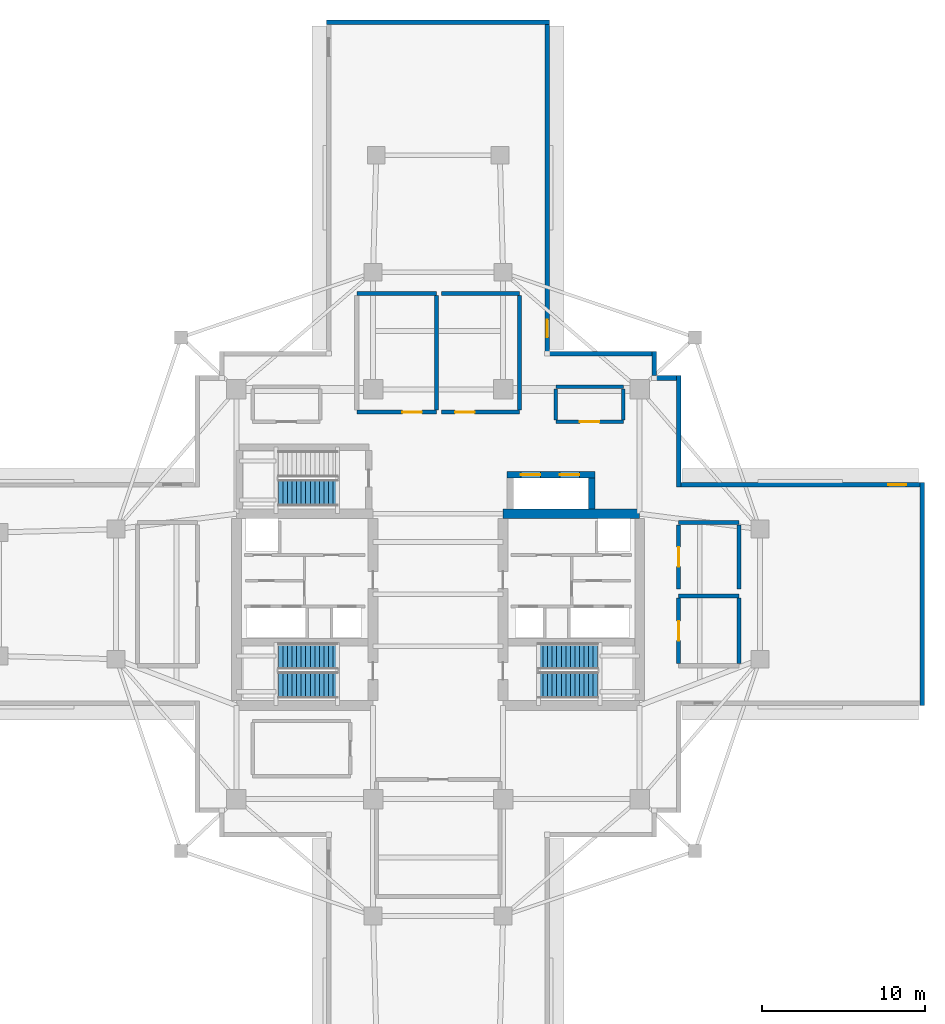
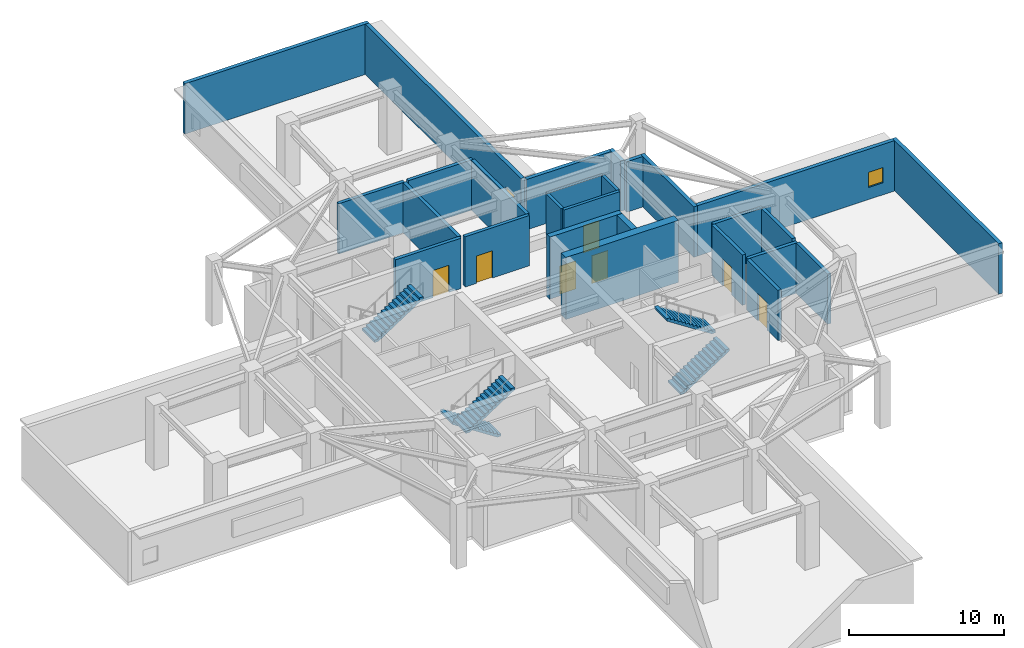
# One storey, part 5 of 11: 27 walls, 7 doors, 5 stair flights, 2 windows, 9 openings, 3 elements without a shape of their own.
"""IFC4 building model written with IfcOpenShell, lengths in metres."""

from ifc_helpers import new_model, si_unit, direction, frame, frame_2d, origin, place, context, subcontext, project, spatial, polyline, rectangle, outline, extrude, material, layer, layer_set, type_object, element, fill, aggregate, save


model = new_model("IFC4")

# Units and contexts
model_context = context("Model", 3, precision=1e-05, world=origin(), true_north=direction((0.0, 1.0)))
body_context = subcontext(model_context, "Body", "Model", "MODEL_VIEW")
ifc_project = project(units=[si_unit("LENGTHUNIT", "METRE"), si_unit("AREAUNIT", "SQUARE_METRE"), si_unit("VOLUMEUNIT", "CUBIC_METRE"), si_unit("PLANEANGLEUNIT", "RADIAN"), si_unit("MASSUNIT", "GRAM", prefix="KILO")], contexts=[model_context])

# Site, building, storey
site_placement = place(None, origin())
site = spatial("IfcSite", under=ifc_project, at=site_placement, CompositionType="ELEMENT")
building_placement = place(site_placement, origin())
building = spatial("IfcBuilding", under=site, at=building_placement, Name="Qingluan Cross Belvedere", CompositionType="ELEMENT")
storey_placement = place(building_placement, frame((0.0, 0.0, 143.699951171875)))
storey = spatial("IfcBuildingStorey", under=building, at=storey_placement, Name="L36", CompositionType="ELEMENT", Elevation=143.699951171875)

# Wall, openings, doors
ifc_material_1 = material(Name="Concrete C50", Category="concrete")
ifc_layer_1 = layer(ifc_material_1, 0.449951171875, Name="CoreShearWall_450")
ifc_layer_set_1 = layer_set([ifc_layer_1], Name="Concrete C50")
wall_type_1 = type_object("IfcWallType", Name="CoreShearWall_450", PredefinedType="SHEAR", material=ifc_layer_set_1)
wall_1_placement = place(storey_placement, frame((4.25, 7.35009765625, 0.0), z_axis=(0.0, 0.0, 1.0), x_axis=(1.0, 0.0, 0.0)))
wall_1 = element("IfcWall", 1, at=wall_1_placement, inside=storey, type_object=wall_type_1, Name="Express shuttle core wall L36-N", PredefinedType="SHEAR", context=body_context, shape_type="SweptSolid", body=[
    extrude(rectangle(XDim=5.39990234375, YDim=0.39990234375, at=frame_2d((2.699951171875, 0.0))), origin(), (0.0, 0.0, 1.0), 4.900146484375),
])
opening_1_placement = place(wall_1_placement, frame((0.85009765625, 0.0, 0.0)))
opening_1 = element("IfcOpeningElement", 2, at=opening_1_placement, cuts=wall_1, Name="Opening LD-12", PredefinedType="OPENING", context=body_context, shape_type="SweptSolid", body=[
    extrude(rectangle(XDim=1.199951171875, YDim=2.199951171875, at=frame_2d((0.60009765625, 1.10009765625))), frame((0.0, 0.2099609375, 0.0), z_axis=(0.0, -1.0, 0.0), x_axis=(1.0, 0.0, 0.0)), (0.0, 0.0, 1.0), 0.419921875),
])
opening_2_placement = place(wall_1_placement, frame((3.25, 0.0, 0.0)))
opening_2 = element("IfcOpeningElement", 3, at=opening_2_placement, cuts=wall_1, Name="Opening LD-12", PredefinedType="OPENING", context=body_context, shape_type="SweptSolid", body=[
    extrude(rectangle(XDim=1.199951171875, YDim=2.199951171875, at=frame_2d((0.60009765625, 1.10009765625))), frame((0.0, 0.2099609375, 0.0), z_axis=(0.0, -1.0, 0.0), x_axis=(1.0, 0.0, 0.0)), (0.0, 0.0, 1.0), 0.419921875),
])
ifc_material_2 = material(Name="Bronze-anodised stainless steel lift landing door", Category="steel")
door_type_1 = type_object("IfcDoorType", Name="ExpressLiftSlidingDoor_1200", OperationType="DOUBLE_DOOR_SLIDING", PredefinedType="DOOR", material=ifc_material_2)
door_1_placement = place(opening_1_placement, origin())
door_1 = element("IfcDoor", 4, at=door_1_placement, inside=storey, type_object=door_type_1, Name="Express shuttle landing sliding door LPX1 L36", OperationType="DOUBLE_DOOR_SLIDING", OverallHeight=2.199951171875, OverallWidth=1.199951171875, PredefinedType="DOOR", context=body_context, shape_type="SweptSolid", body=[
    extrude(rectangle(XDim=1.199951171875, YDim=2.199951171875, at=frame_2d((0.60009765625, 1.10009765625))), frame((0.0, 0.02490234375, 0.0), z_axis=(0.0, -1.0, 0.0), x_axis=(1.0, 0.0, 0.0)), (0.0, 0.0, 1.0), 0.050048828125),
])
fill(opening_1, door_1)
door_2_placement = place(opening_2_placement, origin())
door_2 = element("IfcDoor", 5, at=door_2_placement, inside=storey, type_object=door_type_1, Name="Express shuttle landing sliding door LPX2 L36", OperationType="DOUBLE_DOOR_SLIDING", OverallHeight=2.199951171875, OverallWidth=1.199951171875, PredefinedType="DOOR", context=body_context, shape_type="SweptSolid", body=[
    extrude(rectangle(XDim=1.199951171875, YDim=2.199951171875, at=frame_2d((0.60009765625, 1.10009765625))), frame((0.0, 0.02490234375, 0.0), z_axis=(0.0, -1.0, 0.0), x_axis=(1.0, 0.0, 0.0)), (0.0, 0.0, 1.0), 0.050048828125),
])
fill(opening_2, door_2)

# Walls
wall_2_placement = place(storey_placement, frame((9.449951171875, 5.2548828125, 0.0), z_axis=(0.0, 0.0, 1.0), x_axis=(0.0, 1.0, 0.0)))
element("IfcWall", 6, at=wall_2_placement, inside=storey, type_object=wall_type_1, Name="Express shuttle core wall L36-E", PredefinedType="SHEAR", context=body_context, shape_type="SweptSolid", body=[
    extrude(rectangle(XDim=1.885009765625, YDim=0.39990234375, at=frame_2d((0.9423828125, 0.0))), origin(), (0.0, 0.0, 1.0), 4.900146484375),
])
ifc_material_3 = material(Name="Concrete C60", Category="concrete")
ifc_layer_2 = layer(ifc_material_3, 0.60009765625, Name="CoreShearWall_600")
ifc_layer_set_2 = layer_set([ifc_layer_2], Name="Concrete C60")
wall_type_2 = type_object("IfcWallType", Name="CoreShearWall_600", PredefinedType="SHEAR", material=ifc_layer_set_2)
wall_3_placement = place(storey_placement, frame((4.0, 4.949951171875, 0.0), z_axis=(0.0, 0.0, 1.0), x_axis=(1.0, 0.0, 0.0)))
element("IfcWall", 7, at=wall_3_placement, inside=storey, type_object=wall_type_2, Name="Split core E shear wall L36-N", PredefinedType="SHEAR", context=body_context, shape_type="SweptSolid", body=[
    extrude(rectangle(XDim=8.39990234375, YDim=0.60009765625, at=frame_2d((4.199951171875, 0.0))), origin(), (0.0, 0.0, 1.0), 4.900146484375),
])

# Wall, opening, door
ifc_material_4 = material(Name="Gypsum plasterboard on steel stud acoustic partition", Category="steel")
ifc_layer_3 = layer(ifc_material_4, 0.159912109375, Name="CorridorPartition_160")
ifc_layer_set_3 = layer_set([ifc_layer_3], Name="Gypsum plasterboard on steel stud acoustic partition")
wall_type_3 = type_object("IfcWallType", Name="CorridorPartition_160", PredefinedType="PARTITIONING", material=ifc_layer_set_3)
wall_4_placement = place(storey_placement, frame((7.25, 10.60009765625, 0.0), z_axis=(0.0, 0.0, 1.0), x_axis=(1.0, 0.0, 0.0)))
wall_4 = element("IfcWall", 8, at=wall_4_placement, inside=storey, type_object=wall_type_3, Name="Partition L36:refuge_ne:S", PredefinedType="PARTITIONING", context=body_context, shape_type="SweptSolid", body=[
    extrude(rectangle(XDim=4.14990234375, YDim=0.219970703125, at=frame_2d((2.074951171875, 0.0))), origin(), (0.0, 0.0, 1.0), 3.969970703125),
])
opening_3_placement = place(wall_4_placement, frame((1.47509765625, 0.0, 0.0)))
opening_3 = element("IfcOpeningElement", 9, at=opening_3_placement, cuts=wall_4, Name="Opening FD-A12", PredefinedType="OPENING", context=body_context, shape_type="SweptSolid", body=[
    extrude(rectangle(XDim=1.199951171875, YDim=2.14990234375, at=frame_2d((0.60009765625, 1.074951171875))), frame((0.0, 0.119873046875, 0.0), z_axis=(0.0, -1.0, 0.0), x_axis=(1.0, 0.0, 0.0)), (0.0, 0.0, 1.0), 0.239990234375),
])
ifc_material_5 = material(Name="Insulated steel Class A fire door", Category="steel")
door_type_2 = type_object("IfcDoorType", Name="RefugeCompartmentDoor_FDA", OperationType="NOTDEFINED", PredefinedType="DOOR", material=ifc_material_5)
door_3_placement = place(opening_3_placement, origin())
door_3 = element("IfcDoor", 10, at=door_3_placement, inside=storey, type_object=door_type_2, Name="Fire refuge bay Northeast L36 door", OperationType="SINGLE_SWING_RIGHT", OverallHeight=2.14990234375, OverallWidth=1.199951171875, PredefinedType="DOOR", context=body_context, shape_type="SweptSolid", body=[
    extrude(rectangle(XDim=1.199951171875, YDim=2.14990234375, at=frame_2d((0.60009765625, 1.074951171875))), frame((0.0, 0.02490234375, 0.0), z_axis=(0.0, -1.0, 0.0), x_axis=(1.0, 0.0, 0.0)), (0.0, 0.0, 1.0), 0.050048828125),
])
fill(opening_3, door_3)

# Walls
wall_5_placement = place(storey_placement, frame((7.25, 12.75, 0.0), z_axis=(0.0, 0.0, 1.0), x_axis=(1.0, 0.0, 0.0)))
element("IfcWall", 11, at=wall_5_placement, inside=storey, type_object=wall_type_3, Name="Partition L36:refuge_ne:N", PredefinedType="PARTITIONING", context=body_context, shape_type="SweptSolid", body=[
    extrude(rectangle(XDim=4.14990234375, YDim=0.219970703125, at=frame_2d((2.074951171875, 0.0))), origin(), (0.0, 0.0, 1.0), 3.969970703125),
])
for number, where, z_axis, x_axis, name in (
    (12, (7.25, 10.715087890625, 0.0), (0.0, 0.0, 1.0), (0.0, 1.0, 0.0), "Partition L36:refuge_ne:W"),
    (13, (11.39990234375, 10.715087890625, 0.0), (0.0, 0.0, 1.0), (0.0, 1.0, 0.0), "Partition L36:refuge_ne:E"),
):
    element("IfcWall", number, at=place(storey_placement, frame(where, z_axis=z_axis, x_axis=x_axis)), inside=storey, type_object=wall_type_3, Name=name, PredefinedType="PARTITIONING", context=body_context, shape_type="SweptSolid", body=[
        extrude(rectangle(XDim=1.919921875, YDim=0.219970703125, at=frame_2d((0.9599609375, 0.0))), origin(), (0.0, 0.0, 1.0), 3.969970703125),
    ])

# Wall, opening, door
ifc_material_6 = material(Name="Concrete C40", Category="concrete")
ifc_layer_4 = layer(ifc_material_6, 0.300048828125, Name="FireCompartmentWall_300")
ifc_layer_set_4 = layer_set([ifc_layer_4], Name="Concrete C40")
wall_type_4 = type_object("IfcWallType", Name="FireCompartmentWall_300", PredefinedType="SOLIDWALL", material=ifc_layer_set_4)
wall_6_placement = place(storey_placement, frame((-5.0, 11.199951171875, 0.0), z_axis=(0.0, 0.0, 1.0), x_axis=(1.0, 0.0, 0.0)))
wall_6 = element("IfcWall", 14, at=wall_6_placement, inside=storey, type_object=wall_type_4, Name="Partition L36:refuge_n1:S", PredefinedType="SOLIDWALL", context=body_context, shape_type="SweptSolid", body=[
    extrude(rectangle(XDim=4.89990234375, YDim=0.25, at=frame_2d((2.449951171875, 0.0))), origin(), (0.0, 0.0, 1.0), 3.969970703125),
])
opening_4_placement = place(wall_6_placement, frame((2.800048828125, 0.0, 0.0)))
opening_4 = element("IfcOpeningElement", 15, at=opening_4_placement, cuts=wall_6, Name="Opening FD-A12", PredefinedType="OPENING", context=body_context, shape_type="SweptSolid", body=[
    extrude(rectangle(XDim=1.199951171875, YDim=2.14990234375, at=frame_2d((0.60009765625, 1.074951171875))), frame((0.0, 0.135009765625, 0.0), z_axis=(0.0, -1.0, 0.0), x_axis=(1.0, 0.0, 0.0)), (0.0, 0.0, 1.0), 0.27001953125),
])
door_4_placement = place(opening_4_placement, origin())
door_4 = element("IfcDoor", 16, at=door_4_placement, inside=storey, type_object=door_type_2, Name="Fire refuge area North-West L36 door", OperationType="SINGLE_SWING_RIGHT", OverallHeight=2.14990234375, OverallWidth=1.199951171875, PredefinedType="DOOR", context=body_context, shape_type="SweptSolid", body=[
    extrude(rectangle(XDim=1.199951171875, YDim=2.14990234375, at=frame_2d((0.60009765625, 1.074951171875))), frame((0.0, 0.02490234375, 0.0), z_axis=(0.0, -1.0, 0.0), x_axis=(1.0, 0.0, 0.0)), (0.0, 0.0, 1.0), 0.050048828125),
])
fill(opening_4, door_4)

# Walls
wall_7_placement = place(storey_placement, frame((-5.0, 18.5, 0.0), z_axis=(0.0, 0.0, 1.0), x_axis=(1.0, 0.0, 0.0)))
element("IfcWall", 17, at=wall_7_placement, inside=storey, type_object=wall_type_4, Name="Partition L36:refuge_n1:N", PredefinedType="SOLIDWALL", context=body_context, shape_type="SweptSolid", body=[
    extrude(rectangle(XDim=4.89990234375, YDim=0.25, at=frame_2d((2.449951171875, 0.0))), origin(), (0.0, 0.0, 1.0), 3.969970703125),
])
wall_8_placement = place(storey_placement, frame((-0.10009765625, 11.330078125, 0.0), z_axis=(0.0, 0.0, 1.0), x_axis=(0.0, 1.0, 0.0)))
element("IfcWall", 18, at=wall_8_placement, inside=storey, type_object=wall_type_4, Name="Partition L36:refuge_n1:E", PredefinedType="SOLIDWALL", context=body_context, shape_type="SweptSolid", body=[
    extrude(rectangle(XDim=7.0400390625, YDim=0.25, at=frame_2d((3.52001953125, 0.0))), origin(), (0.0, 0.0, 1.0), 3.969970703125),
])

# Wall, opening, door
wall_9_placement = place(storey_placement, frame((0.199951171875, 11.199951171875, 0.0), z_axis=(0.0, 0.0, 1.0), x_axis=(1.0, 0.0, 0.0)))
wall_9 = element("IfcWall", 19, at=wall_9_placement, inside=storey, type_object=wall_type_4, Name="Partition L36:refuge_n2:S", PredefinedType="SOLIDWALL", context=body_context, shape_type="SweptSolid", body=[
    extrude(rectangle(XDim=4.800048828125, YDim=0.25, at=frame_2d((2.39990234375, 0.0))), origin(), (0.0, 0.0, 1.0), 3.969970703125),
])
opening_5_placement = place(wall_9_placement, frame((0.85009765625, 0.0, 0.0)))
opening_5 = element("IfcOpeningElement", 20, at=opening_5_placement, cuts=wall_9, Name="Opening FD-A12", PredefinedType="OPENING", context=body_context, shape_type="SweptSolid", body=[
    extrude(rectangle(XDim=1.199951171875, YDim=2.14990234375, at=frame_2d((0.60009765625, 1.074951171875))), frame((0.0, 0.135009765625, 0.0), z_axis=(0.0, -1.0, 0.0), x_axis=(1.0, 0.0, 0.0)), (0.0, 0.0, 1.0), 0.27001953125),
])
door_5_placement = place(opening_5_placement, origin())
door_5 = element("IfcDoor", 21, at=door_5_placement, inside=storey, type_object=door_type_2, Name="Fire refuge area North-East L36 door", OperationType="SINGLE_SWING_LEFT", OverallHeight=2.14990234375, OverallWidth=1.199951171875, PredefinedType="DOOR", context=body_context, shape_type="SweptSolid", body=[
    extrude(rectangle(XDim=1.199951171875, YDim=2.14990234375, at=frame_2d((0.60009765625, 1.074951171875))), frame((0.0, 0.02490234375, 0.0), z_axis=(0.0, -1.0, 0.0), x_axis=(1.0, 0.0, 0.0)), (0.0, 0.0, 1.0), 0.050048828125),
])
fill(opening_5, door_5)

# Walls
wall_10_placement = place(storey_placement, frame((0.199951171875, 18.5, 0.0), z_axis=(0.0, 0.0, 1.0), x_axis=(1.0, 0.0, 0.0)))
element("IfcWall", 22, at=wall_10_placement, inside=storey, type_object=wall_type_4, Name="Partition L36:refuge_n2:N", PredefinedType="SOLIDWALL", context=body_context, shape_type="SweptSolid", body=[
    extrude(rectangle(XDim=4.800048828125, YDim=0.25, at=frame_2d((2.39990234375, 0.0))), origin(), (0.0, 0.0, 1.0), 3.969970703125),
])
wall_11_placement = place(storey_placement, frame((5.0, 11.330078125, 0.0), z_axis=(0.0, 0.0, 1.0), x_axis=(0.0, 1.0, 0.0)))
element("IfcWall", 23, at=wall_11_placement, inside=storey, type_object=wall_type_4, Name="Partition L36:refuge_n2:E", PredefinedType="SOLIDWALL", context=body_context, shape_type="SweptSolid", body=[
    extrude(rectangle(XDim=7.0400390625, YDim=0.25, at=frame_2d((3.52001953125, 0.0))), origin(), (0.0, 0.0, 1.0), 3.969970703125),
])
wall_12_placement = place(storey_placement, frame((14.800048828125, -0.10009765625, 0.0), z_axis=(0.0, 0.0, 1.0), x_axis=(1.0, 0.0, 0.0)))
element("IfcWall", 24, at=wall_12_placement, inside=storey, type_object=wall_type_4, Name="Partition L36:ahu_s:N", PredefinedType="SOLIDWALL", context=body_context, shape_type="SweptSolid", body=[
    extrude(rectangle(XDim=3.699951171875, YDim=0.25, at=frame_2d((1.85009765625, 0.0))), origin(), (0.0, 0.0, 1.0), 3.969970703125),
])

# Wall, opening, door
wall_13_placement = place(storey_placement, frame((14.800048828125, -4.27001953125, 0.0), z_axis=(0.0, 0.0, 1.0), x_axis=(0.0, 1.0, 0.0)))
wall_13 = element("IfcWall", 25, at=wall_13_placement, inside=storey, type_object=wall_type_4, Name="Partition L36:ahu_s:W", PredefinedType="SOLIDWALL", context=body_context, shape_type="SweptSolid", body=[
    extrude(rectangle(XDim=4.0400390625, YDim=0.25, at=frame_2d((2.02001953125, 0.0))), origin(), (0.0, 0.0, 1.0), 3.969970703125),
])
opening_6_placement = place(wall_13_placement, frame((1.419921875, 0.0, 0.0)))
opening_6 = element("IfcOpeningElement", 26, at=opening_6_placement, cuts=wall_13, Name="Opening FD-A12", PredefinedType="OPENING", context=body_context, shape_type="SweptSolid", body=[
    extrude(rectangle(XDim=1.199951171875, YDim=2.14990234375, at=frame_2d((0.60009765625, 1.074951171875))), frame((0.0, 0.135009765625, 0.0), z_axis=(0.0, -1.0, 0.0), x_axis=(1.0, 0.0, 0.0)), (0.0, 0.0, 1.0), 0.27001953125),
])
door_6_placement = place(opening_6_placement, origin())
door_6 = element("IfcDoor", 27, at=door_6_placement, inside=storey, type_object=door_type_2, Name="Supply air handling plant room L36 door", OperationType="SINGLE_SWING_LEFT", OverallHeight=2.14990234375, OverallWidth=1.199951171875, PredefinedType="DOOR", context=body_context, shape_type="SweptSolid", body=[
    extrude(rectangle(XDim=1.199951171875, YDim=2.14990234375, at=frame_2d((0.60009765625, 1.074951171875))), frame((0.0, 0.02490234375, 0.0), z_axis=(0.0, -1.0, 0.0), x_axis=(1.0, 0.0, 0.0)), (0.0, 0.0, 1.0), 0.050048828125),
])
fill(opening_6, door_6)

# Walls
wall_14_placement = place(storey_placement, frame((18.5, -4.27001953125, 0.0), z_axis=(0.0, 0.0, 1.0), x_axis=(0.0, 1.0, 0.0)))
element("IfcWall", 28, at=wall_14_placement, inside=storey, type_object=wall_type_4, Name="Partition L36:ahu_s:E", PredefinedType="SOLIDWALL", context=body_context, shape_type="SweptSolid", body=[
    extrude(rectangle(XDim=4.0400390625, YDim=0.25, at=frame_2d((2.02001953125, 0.0))), origin(), (0.0, 0.0, 1.0), 3.969970703125),
])
wall_15_placement = place(storey_placement, frame((14.800048828125, 4.39990234375, 0.0), z_axis=(0.0, 0.0, 1.0), x_axis=(1.0, 0.0, 0.0)))
element("IfcWall", 29, at=wall_15_placement, inside=storey, type_object=wall_type_4, Name="Partition L36:ahu_n:N", PredefinedType="SOLIDWALL", context=body_context, shape_type="SweptSolid", body=[
    extrude(rectangle(XDim=3.699951171875, YDim=0.25, at=frame_2d((1.85009765625, 0.0))), origin(), (0.0, 0.0, 1.0), 3.969970703125),
])

# Wall, opening, door
wall_16_placement = place(storey_placement, frame((14.800048828125, 0.330078125, 0.0), z_axis=(0.0, 0.0, 1.0), x_axis=(0.0, 1.0, 0.0)))
wall_16 = element("IfcWall", 30, at=wall_16_placement, inside=storey, type_object=wall_type_4, Name="Partition L36:ahu_n:W", PredefinedType="SOLIDWALL", context=body_context, shape_type="SweptSolid", body=[
    extrude(rectangle(XDim=3.93994140625, YDim=0.25, at=frame_2d((1.969970703125, 0.0))), origin(), (0.0, 0.0, 1.0), 3.969970703125),
])
opening_7_placement = place(wall_16_placement, frame((1.3701171875, 0.0, 0.0)))
opening_7 = element("IfcOpeningElement", 31, at=opening_7_placement, cuts=wall_16, Name="Opening FD-A12", PredefinedType="OPENING", context=body_context, shape_type="SweptSolid", body=[
    extrude(rectangle(XDim=1.199951171875, YDim=2.14990234375, at=frame_2d((0.60009765625, 1.074951171875))), frame((0.0, 0.135009765625, 0.0), z_axis=(0.0, -1.0, 0.0), x_axis=(1.0, 0.0, 0.0)), (0.0, 0.0, 1.0), 0.27001953125),
])
door_7_placement = place(opening_7_placement, origin())
door_7 = element("IfcDoor", 32, at=door_7_placement, inside=storey, type_object=door_type_2, Name="Heat-recovery exhaust plant room L36 door", OperationType="SINGLE_SWING_RIGHT", OverallHeight=2.14990234375, OverallWidth=1.199951171875, PredefinedType="DOOR", context=body_context, shape_type="SweptSolid", body=[
    extrude(rectangle(XDim=1.199951171875, YDim=2.14990234375, at=frame_2d((0.60009765625, 1.074951171875))), frame((0.0, 0.02490234375, 0.0), z_axis=(0.0, -1.0, 0.0), x_axis=(1.0, 0.0, 0.0)), (0.0, 0.0, 1.0), 0.050048828125),
])
fill(opening_7, door_7)

# Wall
wall_17_placement = place(storey_placement, frame((18.5, 0.330078125, 0.0), z_axis=(0.0, 0.0, 1.0), x_axis=(0.0, 1.0, 0.0)))
element("IfcWall", 33, at=wall_17_placement, inside=storey, type_object=wall_type_4, Name="Partition L36:ahu_n:E", PredefinedType="SOLIDWALL", context=body_context, shape_type="SweptSolid", body=[
    extrude(rectangle(XDim=3.93994140625, YDim=0.25, at=frame_2d((1.969970703125, 0.0))), origin(), (0.0, 0.0, 1.0), 3.969970703125),
])

# Wall, opening, window
ifc_material_7 = material(Name="Precast concrete C45", Category="concrete")
ifc_layer_5 = layer(ifc_material_7, 0.280029296875, Name="PrecastFacadeWall_280")
ifc_layer_set_5 = layer_set([ifc_layer_5], Name="Precast concrete C45")
wall_type_5 = type_object("IfcWallType", Name="PrecastFacadeWall_280", PredefinedType="STANDARD", material=ifc_layer_set_5)
wall_18_placement = place(storey_placement, frame((29.639892578125, 6.719970703125, 0.0), z_axis=(0.0, 0.0, 1.0), x_axis=(-1.0, 0.0, 0.0)))
wall_18 = element("IfcWall", 34, at=wall_18_placement, inside=storey, type_object=wall_type_5, Name="Facade wall L36-EB", PredefinedType="STANDARD", context=body_context, shape_type="SweptSolid", body=[
    extrude(rectangle(XDim=14.699951171875, YDim=0.280029296875, at=frame_2d((7.35009765625, 0.0))), origin(), (0.0, 0.0, 1.0), 3.97998046875),
])
opening_8_placement = place(wall_18_placement, frame((0.85009765625, 0.0, 0.949951171875)))
opening_8 = element("IfcOpeningElement", 35, at=opening_8_placement, cuts=wall_18, Name="Opening W-07", PredefinedType="OPENING", context=body_context, shape_type="SweptSolid", body=[
    extrude(rectangle(XDim=1.10009765625, YDim=1.199951171875, at=frame_2d((0.550048828125, 0.60009765625))), frame((0.0, 0.14990234375, 0.0), z_axis=(0.0, -1.0, 0.0), x_axis=(1.0, 0.0, 0.0)), (0.0, 0.0, 1.0), 0.300048828125),
])
ifc_material_8 = material(Name="Thermally broken triple Low-E glass in aluminium frame", Category="aluminium")
window_type = type_object("IfcWindowType", Name="RefugeSmokeWin_1100x1200", PartitioningType="SINGLE_PANEL", PredefinedType="WINDOW", material=ifc_material_8)
window_1_placement = place(opening_8_placement, origin())
window_1 = element("IfcWindow", 36, at=window_1_placement, inside=storey, type_object=window_type, Name="Refuge operable smoke window L36-EB", OverallHeight=1.199951171875, OverallWidth=1.10009765625, PartitioningType="SINGLE_PANEL", PredefinedType="WINDOW", context=body_context, shape_type="SweptSolid", body=[
    extrude(rectangle(XDim=1.10009765625, YDim=1.199951171875, at=frame_2d((0.550048828125, 0.60009765625))), frame((0.0, 0.030029296875, 0.0), z_axis=(0.0, -1.0, 0.0), x_axis=(1.0, 0.0, 0.0)), (0.0, 0.0, 1.0), 0.06005859375),
])
fill(opening_8, window_1)

# Wall
wall_19_placement = place(storey_placement, frame((29.780029296875, -6.860107421875, 0.0), z_axis=(0.0, 0.0, 1.0), x_axis=(0.0, 1.0, 0.0)))
element("IfcWall", 37, at=wall_19_placement, inside=storey, type_object=wall_type_5, Name="Arm tip precast facade wall L36-E", PredefinedType="STANDARD", context=body_context, shape_type="SweptSolid", body=[
    extrude(rectangle(XDim=13.72021484375, YDim=0.280029296875, at=frame_2d((6.860107421875, 0.0))), origin(), (0.0, 0.0, 1.0), 3.97998046875),
])

# Wall, opening, window
wall_20_placement = place(storey_placement, frame((6.719970703125, 14.93994140625, 0.0), z_axis=(0.0, 0.0, 1.0), x_axis=(0.0, 1.0, 0.0)))
wall_20 = element("IfcWall", 38, at=wall_20_placement, inside=storey, type_object=wall_type_5, Name="Facade wall L36-NA", PredefinedType="STANDARD", context=body_context, shape_type="SweptSolid", body=[
    extrude(rectangle(XDim=20.10009765625, YDim=0.280029296875, at=frame_2d((10.050048828125, 0.0))), origin(), (0.0, 0.0, 1.0), 3.97998046875),
])
opening_9_placement = place(wall_20_placement, frame((0.85009765625, 0.0, 0.949951171875)))
opening_9 = element("IfcOpeningElement", 39, at=opening_9_placement, cuts=wall_20, Name="Opening W-07", PredefinedType="OPENING", context=body_context, shape_type="SweptSolid", body=[
    extrude(rectangle(XDim=1.10009765625, YDim=1.199951171875, at=frame_2d((0.550048828125, 0.60009765625))), frame((0.0, 0.14990234375, 0.0), z_axis=(0.0, -1.0, 0.0), x_axis=(1.0, 0.0, 0.0)), (0.0, 0.0, 1.0), 0.300048828125),
])
window_2_placement = place(opening_9_placement, origin())
window_2 = element("IfcWindow", 40, at=window_2_placement, inside=storey, type_object=window_type, Name="Refuge operable smoke window L36-NA", OverallHeight=1.199951171875, OverallWidth=1.10009765625, PartitioningType="SINGLE_PANEL", PredefinedType="WINDOW", context=body_context, shape_type="SweptSolid", body=[
    extrude(rectangle(XDim=1.10009765625, YDim=1.199951171875, at=frame_2d((0.550048828125, 0.60009765625))), frame((0.0, 0.030029296875, 0.0), z_axis=(0.0, -1.0, 0.0), x_axis=(1.0, 0.0, 0.0)), (0.0, 0.0, 1.0), 0.06005859375),
])
fill(opening_9, window_2)

# Walls
wall_21_placement = place(storey_placement, frame((6.860107421875, 35.179931640625, 0.0), z_axis=(0.0, 0.0, 1.0), x_axis=(-1.0, 0.0, 0.0)))
element("IfcWall", 41, at=wall_21_placement, inside=storey, type_object=wall_type_5, Name="Arm tip precast facade wall L36-N", PredefinedType="STANDARD", context=body_context, shape_type="SweptSolid", body=[
    extrude(rectangle(XDim=13.72021484375, YDim=0.280029296875, at=frame_2d((6.860107421875, 0.0))), origin(), (0.0, 0.0, 1.0), 3.97998046875),
])
wall_22_placement = place(storey_placement, frame((14.800048828125, 6.580078125, 0.0), z_axis=(0.0, 0.0, 1.0), x_axis=(0.0, 1.0, 0.0)))
element("IfcWall", 42, at=wall_22_placement, inside=storey, type_object=wall_type_5, Name="Corner wall L36-NE1", PredefinedType="STANDARD", context=body_context, shape_type="SweptSolid", body=[
    extrude(rectangle(XDim=6.85986328125, YDim=0.280029296875, at=frame_2d((3.429931640625, 0.0))), origin(), (0.0, 0.0, 1.0), 3.97998046875),
])
wall_23_placement = place(storey_placement, frame((14.659912109375, 13.300048828125, 0.0), z_axis=(0.0, 0.0, 1.0), x_axis=(-1.0, 0.0, 0.0)))
element("IfcWall", 43, at=wall_23_placement, inside=storey, type_object=wall_type_5, Name="Corner wall L36-NE2", PredefinedType="STANDARD", context=body_context, shape_type="SweptSolid", body=[
    extrude(rectangle(XDim=1.219970703125, YDim=0.280029296875, at=frame_2d((0.60986328125, 0.0))), origin(), (0.0, 0.0, 1.0), 3.97998046875),
])
wall_24_placement = place(storey_placement, frame((13.300048828125, 13.43994140625, 0.0), z_axis=(0.0, 0.0, 1.0), x_axis=(0.0, 1.0, 0.0)))
element("IfcWall", 44, at=wall_24_placement, inside=storey, type_object=wall_type_5, Name="Corner wall L36-NE3", PredefinedType="STANDARD", context=body_context, shape_type="SweptSolid", body=[
    extrude(rectangle(XDim=1.5, YDim=0.280029296875, at=frame_2d((0.75, 0.0))), origin(), (0.0, 0.0, 1.0), 3.97998046875),
])
wall_25_placement = place(storey_placement, frame((13.159912109375, 14.800048828125, 0.0), z_axis=(0.0, 0.0, 1.0), x_axis=(-1.0, 0.0, 0.0)))
element("IfcWall", 45, at=wall_25_placement, inside=storey, type_object=wall_type_5, Name="Corner wall L36-NE4", PredefinedType="STANDARD", context=body_context, shape_type="SweptSolid", body=[
    extrude(rectangle(XDim=6.2998046875, YDim=0.280029296875, at=frame_2d((3.14990234375, 0.0))), origin(), (0.0, 0.0, 1.0), 3.97998046875),
])

# Stair, stair flights
ifc_material_9 = material(Name="Concrete C40", Category="concrete")
stair_type = type_object("IfcStairType", Name="CoreDoglegStair_1620", PredefinedType="HALF_TURN_STAIR", material=ifc_material_9)
stair_1_placement = place(storey_placement, origin())
stair_1 = element("IfcStair", 46, at=stair_1_placement, inside=storey, type_object=stair_type, Name="L36 ST1", PredefinedType="HALF_TURN_STAIR")
ifc_material_10 = material(Name="Concrete C40", Category="concrete")
ifc_layer_6 = layer(ifc_material_10, 0.179931640625, Name="StairFlight_RC180")
ifc_layer_set_6 = layer_set([ifc_layer_6], Name="Concrete C40")
stair_flight_type = type_object("IfcStairFlightType", Name="StairFlight_RC180", PredefinedType="STRAIGHT", material=ifc_layer_set_6)
stair_flight_1_placement = place(storey_placement, frame((-6.179931640625, -3.81005859375, 0.0), z_axis=(0.0, 0.0, 1.0), x_axis=(-1.0, 0.0, 0.0)))
stair_flight_1 = element("IfcStairFlight", 47, at=stair_flight_1_placement, type_object=stair_flight_type, Name="ST1 flight 1", NumberOfRisers=14, NumberOfTreads=13, PredefinedType="STRAIGHT", RiserHeight=0.182142857, TreadLength=0.28, context=body_context, shape_type="SweptSolid", body=[
    extrude(outline(polyline([(0.0, 0.0), (0.0, 0.18212890625), (0.280029296875, 0.18212890625), (0.280029296875, 0.3642578125), (0.56005859375, 0.3642578125), (0.56005859375, 0.54638671875), (0.840087890625, 0.54638671875), (0.840087890625, 0.728515625), (1.1201171875, 0.728515625), (1.1201171875, 0.91064453125), (1.39990234375, 0.91064453125), (1.39990234375, 1.0927734375), (1.679931640625, 1.0927734375), (1.679931640625, 1.27490234375), (1.9599609375, 1.27490234375), (1.9599609375, 1.45703125), (2.239990234375, 1.45703125), (2.239990234375, 1.639404296875), (2.52001953125, 1.639404296875), (2.52001953125, 1.821533203125), (2.800048828125, 1.821533203125), (2.800048828125, 2.003662109375), (3.080078125, 2.003662109375), (3.080078125, 2.185791015625), (3.360107421875, 2.185791015625), (3.360107421875, 2.367919921875), (3.639892578125, 2.367919921875), (3.639892578125, 2.550048828125), (3.639892578125, 2.18896484375), (0.27490234375, 0.0), (0.0, 0.0)])), frame((0.0, 0.81005859375, 0.0), z_axis=(0.0, -1.0, 0.0), x_axis=(1.0, 0.0, 0.0)), (0.0, 0.0, 1.0), 1.6201171875),
])
stair_flight_2_placement = place(storey_placement, frame((-9.820068359375, -5.590087890625, 2.550048828125), z_axis=(0.0, 0.0, 1.0), x_axis=(1.0, 0.0, 0.0)))
stair_flight_2 = element("IfcStairFlight", 48, at=stair_flight_2_placement, type_object=stair_flight_type, Name="ST1 flight 2", NumberOfRisers=14, NumberOfTreads=13, PredefinedType="STRAIGHT", RiserHeight=0.182142857, TreadLength=0.28, context=body_context, shape_type="SweptSolid", body=[
    extrude(outline(polyline([(0.0, 0.0), (0.0, 0.18212890625), (0.280029296875, 0.18212890625), (0.280029296875, 0.3642578125), (0.56005859375, 0.3642578125), (0.56005859375, 0.54638671875), (0.840087890625, 0.54638671875), (0.840087890625, 0.728515625), (1.1201171875, 0.728515625), (1.1201171875, 0.91064453125), (1.39990234375, 0.91064453125), (1.39990234375, 1.0927734375), (1.679931640625, 1.0927734375), (1.679931640625, 1.27490234375), (1.9599609375, 1.27490234375), (1.9599609375, 1.45703125), (2.239990234375, 1.45703125), (2.239990234375, 1.639404296875), (2.52001953125, 1.639404296875), (2.52001953125, 1.821533203125), (2.800048828125, 1.821533203125), (2.800048828125, 2.003662109375), (3.080078125, 2.003662109375), (3.080078125, 2.185791015625), (3.360107421875, 2.185791015625), (3.360107421875, 2.367919921875), (3.639892578125, 2.367919921875), (3.639892578125, 2.550048828125), (3.639892578125, 2.18896484375), (0.27490234375, 0.0), (0.0, 0.0)])), frame((0.0, 0.81005859375, 0.0), z_axis=(0.0, -1.0, 0.0), x_axis=(1.0, 0.0, 0.0)), (0.0, 0.0, 1.0), 1.6201171875),
])
aggregate(stair_1, [stair_flight_1, stair_flight_2])

stair_2_placement = place(storey_placement, origin())
stair_2 = element("IfcStair", 49, at=stair_2_placement, inside=storey, type_object=stair_type, Name="L36 ST2", PredefinedType="HALF_TURN_STAIR")
stair_flight_3_placement = place(storey_placement, frame((6.179931640625, -5.590087890625, 0.0), z_axis=(0.0, 0.0, 1.0), x_axis=(1.0, 0.0, 0.0)))
stair_flight_3 = element("IfcStairFlight", 50, at=stair_flight_3_placement, type_object=stair_flight_type, Name="ST2 flight 1", NumberOfRisers=14, NumberOfTreads=13, PredefinedType="STRAIGHT", RiserHeight=0.182142857, TreadLength=0.28, context=body_context, shape_type="SweptSolid", body=[
    extrude(outline(polyline([(0.0, 0.0), (0.0, 0.18212890625), (0.280029296875, 0.18212890625), (0.280029296875, 0.3642578125), (0.56005859375, 0.3642578125), (0.56005859375, 0.54638671875), (0.840087890625, 0.54638671875), (0.840087890625, 0.728515625), (1.1201171875, 0.728515625), (1.1201171875, 0.91064453125), (1.39990234375, 0.91064453125), (1.39990234375, 1.0927734375), (1.679931640625, 1.0927734375), (1.679931640625, 1.27490234375), (1.9599609375, 1.27490234375), (1.9599609375, 1.45703125), (2.239990234375, 1.45703125), (2.239990234375, 1.639404296875), (2.52001953125, 1.639404296875), (2.52001953125, 1.821533203125), (2.800048828125, 1.821533203125), (2.800048828125, 2.003662109375), (3.080078125, 2.003662109375), (3.080078125, 2.185791015625), (3.360107421875, 2.185791015625), (3.360107421875, 2.367919921875), (3.639892578125, 2.367919921875), (3.639892578125, 2.550048828125), (3.639892578125, 2.18896484375), (0.27490234375, 0.0), (0.0, 0.0)])), frame((0.0, 0.81005859375, 0.0), z_axis=(0.0, -1.0, 0.0), x_axis=(1.0, 0.0, 0.0)), (0.0, 0.0, 1.0), 1.6201171875),
])
stair_flight_4_placement = place(storey_placement, frame((9.820068359375, -3.81005859375, 2.550048828125), z_axis=(0.0, 0.0, 1.0), x_axis=(-1.0, 0.0, 0.0)))
stair_flight_4 = element("IfcStairFlight", 51, at=stair_flight_4_placement, type_object=stair_flight_type, Name="ST2 flight 2", NumberOfRisers=14, NumberOfTreads=13, PredefinedType="STRAIGHT", RiserHeight=0.182142857, TreadLength=0.28, context=body_context, shape_type="SweptSolid", body=[
    extrude(outline(polyline([(0.0, 0.0), (0.0, 0.18212890625), (0.280029296875, 0.18212890625), (0.280029296875, 0.3642578125), (0.56005859375, 0.3642578125), (0.56005859375, 0.54638671875), (0.840087890625, 0.54638671875), (0.840087890625, 0.728515625), (1.1201171875, 0.728515625), (1.1201171875, 0.91064453125), (1.39990234375, 0.91064453125), (1.39990234375, 1.0927734375), (1.679931640625, 1.0927734375), (1.679931640625, 1.27490234375), (1.9599609375, 1.27490234375), (1.9599609375, 1.45703125), (2.239990234375, 1.45703125), (2.239990234375, 1.639404296875), (2.52001953125, 1.639404296875), (2.52001953125, 1.821533203125), (2.800048828125, 1.821533203125), (2.800048828125, 2.003662109375), (3.080078125, 2.003662109375), (3.080078125, 2.185791015625), (3.360107421875, 2.185791015625), (3.360107421875, 2.367919921875), (3.639892578125, 2.367919921875), (3.639892578125, 2.550048828125), (3.639892578125, 2.18896484375), (0.27490234375, 0.0), (0.0, 0.0)])), frame((0.0, 0.81005859375, 0.0), z_axis=(0.0, -1.0, 0.0), x_axis=(1.0, 0.0, 0.0)), (0.0, 0.0, 1.0), 1.6201171875),
])
aggregate(stair_2, [stair_flight_3, stair_flight_4])

# Stair, stair flight
stair_3_placement = place(storey_placement, origin())
stair_3 = element("IfcStair", 52, at=stair_3_placement, inside=storey, type_object=stair_type, Name="L36 ST3", PredefinedType="HALF_TURN_STAIR")
stair_flight_5_placement = place(storey_placement, frame((-9.820068359375, 6.22998046875, 2.550048828125), z_axis=(0.0, 0.0, 1.0), x_axis=(1.0, 0.0, 0.0)))
stair_flight_5 = element("IfcStairFlight", 53, at=stair_flight_5_placement, type_object=stair_flight_type, Name="ST3 flight 2", NumberOfRisers=14, NumberOfTreads=13, PredefinedType="STRAIGHT", RiserHeight=0.182142857, TreadLength=0.28, context=body_context, shape_type="SweptSolid", body=[
    extrude(outline(polyline([(0.0, 0.0), (0.0, 0.18212890625), (0.280029296875, 0.18212890625), (0.280029296875, 0.3642578125), (0.56005859375, 0.3642578125), (0.56005859375, 0.54638671875), (0.840087890625, 0.54638671875), (0.840087890625, 0.728515625), (1.1201171875, 0.728515625), (1.1201171875, 0.91064453125), (1.39990234375, 0.91064453125), (1.39990234375, 1.0927734375), (1.679931640625, 1.0927734375), (1.679931640625, 1.27490234375), (1.9599609375, 1.27490234375), (1.9599609375, 1.45703125), (2.239990234375, 1.45703125), (2.239990234375, 1.639404296875), (2.52001953125, 1.639404296875), (2.52001953125, 1.821533203125), (2.800048828125, 1.821533203125), (2.800048828125, 2.003662109375), (3.080078125, 2.003662109375), (3.080078125, 2.185791015625), (3.360107421875, 2.185791015625), (3.360107421875, 2.367919921875), (3.639892578125, 2.367919921875), (3.639892578125, 2.550048828125), (3.639892578125, 2.18896484375), (0.27490234375, 0.0), (0.0, 0.0)])), frame((0.0, 0.81005859375, 0.0), z_axis=(0.0, -1.0, 0.0), x_axis=(1.0, 0.0, 0.0)), (0.0, 0.0, 1.0), 1.6201171875),
])
aggregate(stair_3, [stair_flight_5])

save(model, "model.ifc")
